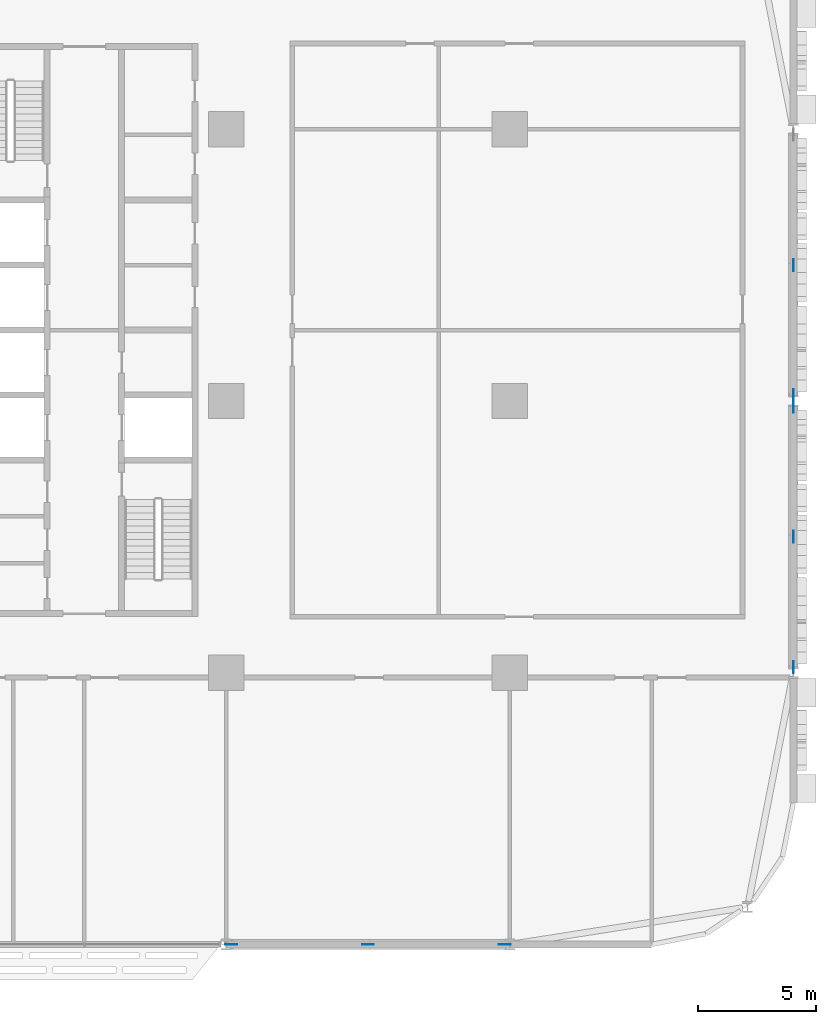
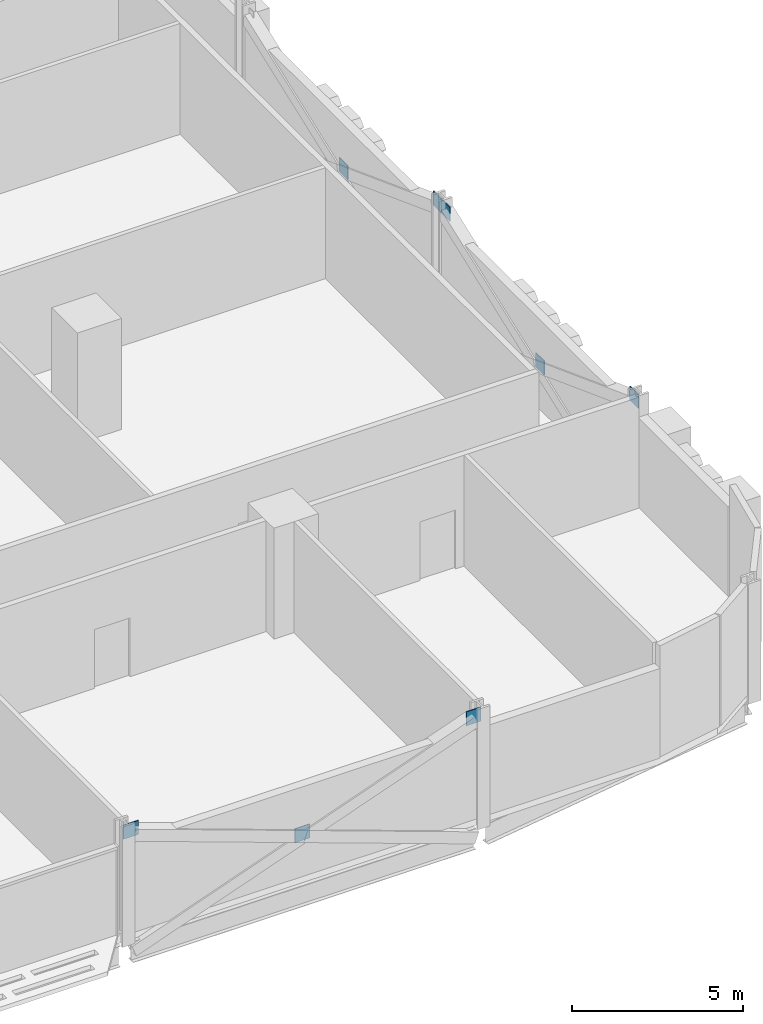
# One storey, part 22 of 29: 8 discrete accessories.
"""IFC4 building model written with IfcOpenShell, lengths in metres."""

from ifc_helpers import new_model, si_unit, direction, frame, origin, origin_2d, place, context, subcontext, project, spatial, rectangle, extrude, material, layer, layer_set, type_object, element, save


model = new_model("IFC4")

# Units and contexts
model_context = context("Model", 3, precision=1e-05, world=origin(), true_north=direction((0.0, 1.0)))
body_context = subcontext(model_context, "Body", "Model", "MODEL_VIEW")
ifc_project = project(units=[si_unit("LENGTHUNIT", "METRE"), si_unit("AREAUNIT", "SQUARE_METRE"), si_unit("VOLUMEUNIT", "CUBIC_METRE"), si_unit("PLANEANGLEUNIT", "RADIAN"), si_unit("MASSUNIT", "GRAM", prefix="KILO")], contexts=[model_context])

# Site, building, storey
site_placement = place(None, origin())
site = spatial("IfcSite", under=ifc_project, at=site_placement, CompositionType="ELEMENT")
building_placement = place(site_placement, origin())
building = spatial("IfcBuilding", under=site, at=building_placement, Name="Mahtab Terrace Research Tower", CompositionType="ELEMENT")
storey_placement = place(building_placement, frame((0.0, 0.0, 58.89990234375)))
storey = spatial("IfcBuildingStorey", under=building, at=storey_placement, Name="L13", CompositionType="ELEMENT", Elevation=58.89990234375)

# Discrete accessories
ifc_material = material(Name="Steel ASTM A992 Gr 50", Category="steel")
ifc_layer = layer(ifc_material, 0.030029296875)
ifc_layer_set = layer_set([ifc_layer], Name="Gusset plate 500x500x30")
discrete_accessory_type = type_object("IfcDiscreteAccessoryType", Name="Gusset plate 500x500x30", PredefinedType="USERDEFINED", material=ifc_layer_set)
for number, where, z_axis, x_axis, name in (
    (1, (30.212158203125, -23.0, 3.33154296875), (0.0, 0.0, 1.0), (1.0, 0.0, 0.0), "Gusset plate"),
    (2, (36.0, -23.0, 1.181640625), (0.0, 0.0, 1.0), (1.0, 0.0, 0.0), "Gusset plate"),
    (3, (41.787841796875, -23.0, 3.33154296875), (0.0, 0.0, 1.0), (1.0, 0.0, 0.0), "Gusset plate"),
    (4, (54.0, -11.262451171875, 3.33154296875), (0.0, 0.0, 1.0), (0.0, 1.0, 0.0), "Gusset plate"),
    (5, (54.0, -5.75, 1.181640625), (0.0, 0.0, 1.0), (0.0, 1.0, 0.0), "Gusset plate"),
    (6, (54.0, -0.237548828125, 3.33154296875), (0.0, 0.0, 1.0), (0.0, 1.0, 0.0), "Gusset plate"),
    (7, (54.0, 0.237548828125, 3.33154296875), (0.0, 0.0, 1.0), (0.0, 1.0, 0.0), "Gusset plate"),
    (8, (54.0, 5.75, 1.181640625), (0.0, 0.0, 1.0), (0.0, 1.0, 0.0), "Gusset plate"),
):
    element("IfcDiscreteAccessory", number, at=place(storey_placement, frame(where, z_axis=z_axis, x_axis=x_axis)), inside=storey, type_object=discrete_accessory_type, Name=name, ObjectType="GUSSET PLATE", PredefinedType="USERDEFINED", context=body_context, shape_type="SweptSolid", body=[
        extrude(rectangle(XDim=0.5, YDim=0.030029296875, at=origin_2d()), origin(), (0.0, 0.0, 1.0), 0.5),
    ])

save(model, "model.ifc")
